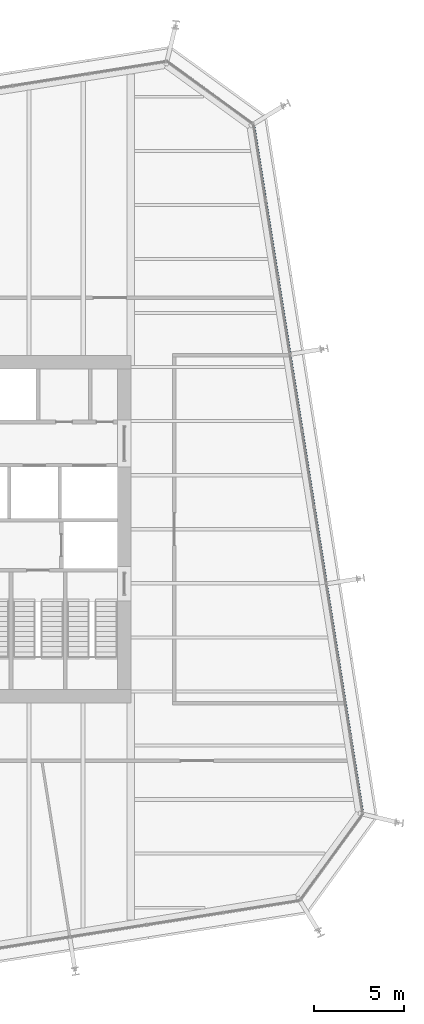
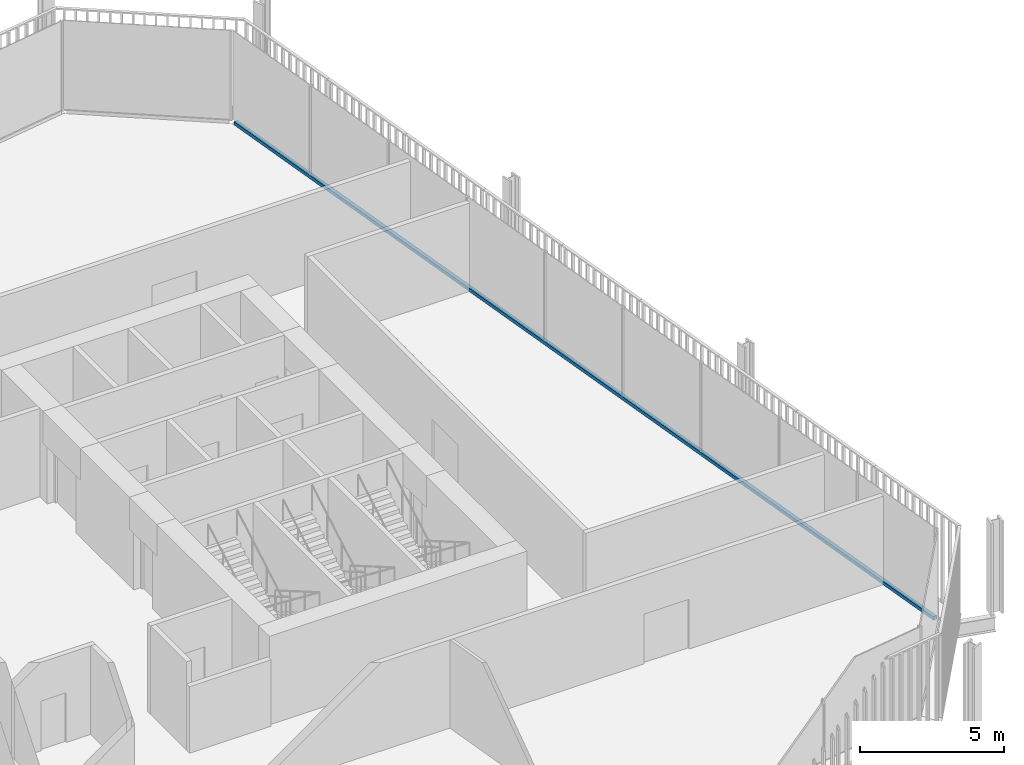
# One storey, part 14 of 21: 1 member, 1 element without a shape of its own.
"""IFC4 building model written with IfcOpenShell, lengths in metres."""

from ifc_helpers import new_model, si_unit, direction, frame, origin, origin_2d, place, context, subcontext, project, spatial, rectangle, extrude, material, layer, layer_set, material_profile, profile_set, type_object, element, aggregate, save


model = new_model("IFC4")

# Units and contexts
model_context = context("Model", 3, precision=1e-05, world=origin(), true_north=direction((0.0, 1.0)))
body_context = subcontext(model_context, "Body", "Model", "MODEL_VIEW")
ifc_project = project(units=[si_unit("LENGTHUNIT", "METRE"), si_unit("AREAUNIT", "SQUARE_METRE"), si_unit("VOLUMEUNIT", "CUBIC_METRE"), si_unit("PLANEANGLEUNIT", "RADIAN"), si_unit("MASSUNIT", "GRAM", prefix="KILO")], contexts=[model_context])

# Site, building, storey
site_placement = place(None, origin())
site = spatial("IfcSite", under=ifc_project, at=site_placement, CompositionType="ELEMENT")
building_placement = place(site_placement, origin())
building = spatial("IfcBuilding", under=site, at=building_placement, Name="Millrace Tower", CompositionType="ELEMENT")
storey_placement = place(building_placement, frame((0.0, 0.0, 133.39990234375)))
storey = spatial("IfcBuildingStorey", under=building, at=storey_placement, Name="L29", CompositionType="ELEMENT", Elevation=133.39990234375)

# Curtain wall, member
ifc_material_1 = material(Name="Aluminium and glass", Category="aluminium")
ifc_layer = layer(ifc_material_1, 0.14990234375)
ifc_layer_set = layer_set([ifc_layer], Name="Aluminium and glass")
curtain_wall_type = type_object("IfcCurtainWallType", Name="CW-1 office vision curtain wall", PredefinedType="NOTDEFINED", material=ifc_layer_set)
curtain_wall_placement = place(storey_placement, origin())
curtain_wall = element("IfcCurtainWall", 1, at=curtain_wall_placement, inside=storey, type_object=curtain_wall_type, Name="Curtain wall C-F04 L29", PredefinedType="NOTDEFINED")
ifc_material_2 = material(Name="Aluminium", Category="aluminium")
ifc_material_profile = material_profile(ifc_material_2, rectangle(XDim=0.14990234375, YDim=0.139892578125, at=origin_2d()))
ifc_profile_set = profile_set([ifc_material_profile], Name="Aluminium")
member_type = type_object("IfcMemberType", Name="CW-1 office vision curtain wall transom", PredefinedType="USERDEFINED", material=ifc_profile_set)
member_placement = place(storey_placement, frame((27.49609375, -15.675048828125, 0.070068359375), z_axis=(-0.156434402447, 0.987688350509, 0.0), x_axis=(-0.987688350509, -0.156434402447, 0.0)))
member = element("IfcMember", 2, at=member_placement, type_object=member_type, Name="CW1 transom C-F04.1", ObjectType="TRANSOM", PredefinedType="USERDEFINED", context=body_context, shape_type="SweptSolid", body=[
    extrude(rectangle(XDim=0.14990234375, YDim=0.139892578125, at=origin_2d()), origin(), (0.0, 0.0, 1.0), 38.499755859375),
])
aggregate(curtain_wall, [member])

save(model, "model.ifc")
